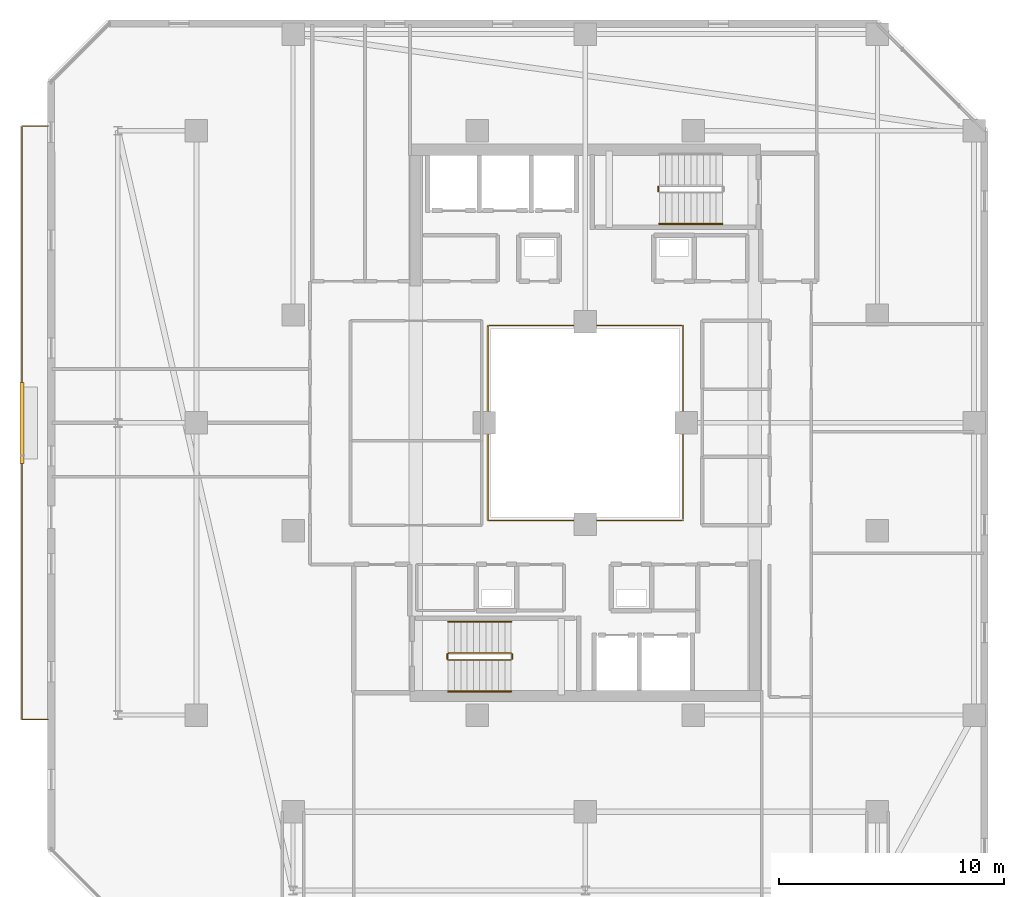
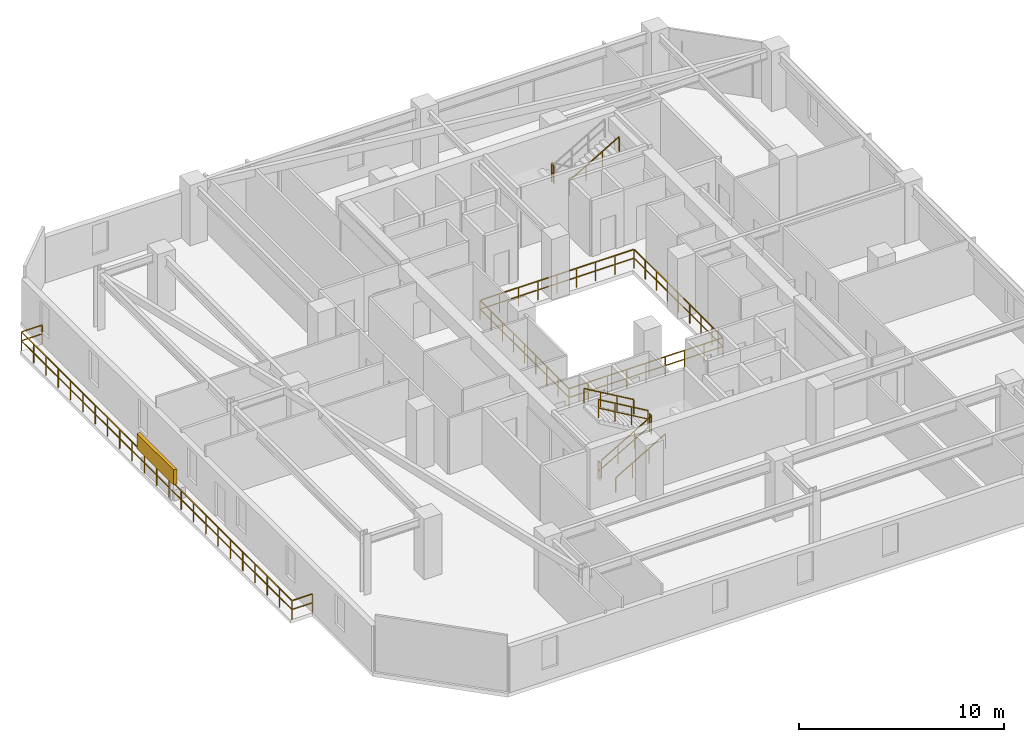
# One storey, part 29 of 32: 10 railings, 1 shading device.
"""IFC4 building model written with IfcOpenShell, lengths in metres."""

import ifcopenshell
import ifcopenshell.guid

model = None  # the IFC model being written
_history = None  # IfcOwnerHistory: only IFC2X3 demands one
_inside = {}  # id of a spatial element -> (the spatial element, [elements in it])
_under = {}  # id of a project, library or spatial element -> (it, [spatial elements below it])
_declared = {}  # id of a project -> (the project, [libraries it declares])
_typed = {}  # id of a type object -> (the type object, [elements of that type])
_made_of = {}  # id of a material, layer set ... -> (it, [elements and type objects made of it])


def new_model(schema):
    """Start an empty IFC model of exactly this schema.

    Asked for "IFC4X3", IfcOpenShell would pick the latest addendum, in which some entities
    have other attributes; the version numbers below select the first issue.
    IFC2X3 requires an IfcOwnerHistory on every rooted entity: one is made here for all.
    """
    global model, _history
    if schema == "IFC4X3":
        model = ifcopenshell.file(schema_version=(4, 3, 0, 0))
    else:
        model = ifcopenshell.file(schema=schema)
    _inside.clear()
    _under.clear()
    _declared.clear()
    _typed.clear()
    _made_of.clear()
    _history = None
    if model.schema == "IFC2X3":
        org = make("IfcOrganization", Name="unknown")
        user = make(
            "IfcPersonAndOrganization",
            ThePerson=make("IfcPerson", FamilyName="unknown"),
            TheOrganization=org,
        )
        app = make(
            "IfcApplication",
            ApplicationDeveloper=org,
            Version="unknown",
            ApplicationFullName="unknown",
            ApplicationIdentifier="unknown",
        )
        _history = make(
            "IfcOwnerHistory",
            OwningUser=user,
            OwningApplication=app,
            ChangeAction="ADDED",
            CreationDate=0,
        )
    return model


def make(cls, **values):
    """One entity of the class cls with the attributes given. An attribute that is None is left unset."""
    return model.create_entity(
        cls, **{name: value for name, value in values.items() if value is not None}
    )


def rooted(cls, **values):
    """An entity with a GlobalId (a new one), such as an element, a storey or a relation."""
    return make(cls, GlobalId=ifcopenshell.guid.new(), OwnerHistory=_history, **values)


def si_unit(unit_type, name, prefix=None):
    """IfcSIUnit, for example si_unit("LENGTHUNIT", "METRE", prefix="MILLI")."""
    return make("IfcSIUnit", UnitType=unit_type, Prefix=prefix, Name=name)


def assignment(units):
    """IfcUnitAssignment: the units of a project."""
    return None if units is None else make("IfcUnitAssignment", Units=units)


def point(xyz):
    """IfcCartesianPoint."""
    return None if xyz is None else make("IfcCartesianPoint", Coordinates=xyz)


def direction(xyz):
    """IfcDirection."""
    return None if xyz is None else make("IfcDirection", DirectionRatios=xyz)


def frame(location, z_axis=None, x_axis=None):
    """IfcAxis2Placement3D, a coordinate frame: its origin and axes. An axis left out is left unset."""
    return make(
        "IfcAxis2Placement3D",
        Location=point(location),
        Axis=direction(z_axis),
        RefDirection=direction(x_axis),
    )


def frame_2d(location, x_axis=None):
    """IfcAxis2Placement2D, a coordinate frame in the plane: its origin and x axis."""
    return make(
        "IfcAxis2Placement2D", Location=point(location), RefDirection=direction(x_axis)
    )


def origin():
    """The frame at (0, 0, 0) with its axes left unset."""
    return frame((0.0, 0.0, 0.0))


def origin_2d():
    """The frame at (0, 0) in the plane with its x axis left unset."""
    return frame_2d((0.0, 0.0))


def place(relative_to, where):
    """IfcLocalPlacement: puts the frame where relative to a parent placement (None: the world)."""
    return make(
        "IfcLocalPlacement", PlacementRelTo=relative_to, RelativePlacement=where
    )


def context(
    kind, dimensions, precision=None, world=None, true_north=None, identifier=None
):
    """IfcGeometricRepresentationContext, for example the 3D "Model" context."""
    return make(
        "IfcGeometricRepresentationContext",
        ContextIdentifier=identifier,
        ContextType=kind,
        CoordinateSpaceDimension=dimensions,
        Precision=precision,
        WorldCoordinateSystem=world,
        TrueNorth=true_north,
    )


def subcontext(parent, identifier, kind, view, scale=None):
    """IfcGeometricRepresentationSubContext, for example "Body" below "Model"."""
    return make(
        "IfcGeometricRepresentationSubContext",
        ContextIdentifier=identifier,
        ContextType=kind,
        ParentContext=parent,
        TargetScale=scale,
        TargetView=view,
    )


def project(units=None, contexts=None):
    """IfcProject with its units and contexts."""
    return rooted(
        "IfcProject",
        Name="project",
        RepresentationContexts=contexts,
        UnitsInContext=assignment(units),
    )


def spatial(cls, under=None, at=None, **own):
    """A site, building, storey or space (cls), placed at a placement, below another one or the project."""
    s = rooted(cls, ObjectPlacement=at, **own)
    if under is not None:
        _under.setdefault(under.id(), (under, []))[1].append(s)
    return s


def profile(cls, at=None, kind="AREA", **sizes):
    """A parametric profile (cls). Its sizes go by their IFC names, for example OverallWidth=200.0."""
    return make(cls, ProfileType=kind, Position=at, **sizes)


def rectangle(**sizes):
    """IfcRectangleProfileDef."""
    return profile("IfcRectangleProfileDef", **sizes)


def extrude(swept, where, along, depth):
    """IfcExtrudedAreaSolid: the profile swept, set in the frame where, extruded along a direction by depth."""
    return make(
        "IfcExtrudedAreaSolid",
        SweptArea=swept,
        Position=where,
        ExtrudedDirection=direction(along),
        Depth=depth,
    )


def shape(context_of_items, identifier, shape_type, items):
    """IfcShapeRepresentation: the items that make up one representation, for example the "Body"."""
    return make(
        "IfcShapeRepresentation",
        ContextOfItems=context_of_items,
        RepresentationIdentifier=identifier,
        RepresentationType=shape_type,
        Items=items,
    )


def material(Name=None, Category=None):
    """IfcMaterial."""
    return make("IfcMaterial", Name=Name, Category=Category)


def made_of(thing, what):
    """Note that an element or type object is made of a material, layer set ...; save() writes the relation."""
    if what is not None:
        _made_of.setdefault(what.id(), (what, []))[1].append(thing)
    return thing


def type_object(cls, material=None, **own):
    """A type object (cls), such as IfcWallType, which elements share."""
    return made_of(rooted(cls, **own), material)


def element(
    cls,
    number,
    at=None,
    inside=None,
    cuts=None,
    type_object=None,
    material=None,
    context=None,
    identifier="Body",
    shape_type=None,
    held_by="IfcProductDefinitionShape",
    body=None,
    shapes=None,
    **own,
):
    """One element of the class cls, such as IfcWall. Its Tag is "e" and its number.

    at: its placement. inside: the storey or other place that contains it. cuts: it is an
    opening in that element (IfcRelVoidsElement). A single representation is given by context,
    identifier, shape_type and body (its items); several are given by shapes. held_by: the class
    of the entity that holds the representations. save() writes the other relations.
    """
    e = rooted(cls, Tag="e%d" % number, ObjectPlacement=at, **own)
    if body is not None:
        shapes = [shape(context, identifier, shape_type, body)]
    if shapes is not None:
        e.Representation = make(held_by, Representations=shapes)
    if inside is not None:
        _inside.setdefault(inside.id(), (inside, []))[1].append(e)
    if cuts is not None:
        rooted(
            "IfcRelVoidsElement", RelatingBuildingElement=cuts, RelatedOpeningElement=e
        )
    if type_object is not None:
        _typed.setdefault(type_object.id(), (type_object, []))[1].append(e)
    return made_of(e, material)


def aggregate(whole, parts):
    """IfcRelAggregates: a whole, such as a stair, and the parts it consists of."""
    return rooted("IfcRelAggregates", RelatingObject=whole, RelatedObjects=parts)


def save(model, path):
    """Write the relations noted so far, then the file.

    IfcRelAggregates (storeys below a building ...), IfcRelContainedInSpatialStructure (elements
    in a storey), IfcRelDefinesByType, IfcRelAssociatesMaterial and IfcRelDeclares: one each for
    every whole, place, type object, material and project.
    """
    for whole, parts in _under.values():
        aggregate(whole, parts)
    for where, things in _inside.values():
        rooted(
            "IfcRelContainedInSpatialStructure",
            RelatedElements=things,
            RelatingStructure=where,
        )
    for kind, things in _typed.values():
        rooted("IfcRelDefinesByType", RelatedObjects=things, RelatingType=kind)
    for what, things in _made_of.values():
        rooted("IfcRelAssociatesMaterial", RelatedObjects=things, RelatingMaterial=what)
    for by, libraries in _declared.values():
        rooted("IfcRelDeclares", RelatingContext=by, RelatedDefinitions=libraries)
    model.write(path)


model = new_model("IFC4")

# Units and contexts
model_context = context("Model", 3, precision=1e-05, world=origin(), true_north=direction((0.0, 1.0)))
body_context = subcontext(model_context, "Body", "Model", "MODEL_VIEW")
ifc_project = project(units=[si_unit("LENGTHUNIT", "METRE"), si_unit("AREAUNIT", "SQUARE_METRE"), si_unit("VOLUMEUNIT", "CUBIC_METRE"), si_unit("PLANEANGLEUNIT", "RADIAN"), si_unit("MASSUNIT", "GRAM", prefix="KILO")], contexts=[model_context])

# Site, building, storey
site_placement = place(None, origin())
site = spatial("IfcSite", under=ifc_project, at=site_placement, CompositionType="ELEMENT")
building_placement = place(site_placement, origin())
building = spatial("IfcBuilding", under=site, at=building_placement, Name="Thornwick Lancets Civic Towers", CompositionType="ELEMENT")
storey_placement = place(building_placement, frame((0.0, 0.0, 247.5)))
storey = spatial("IfcBuildingStorey", under=building, at=storey_placement, Name="L66", CompositionType="ELEMENT", Elevation=247.5)

# Railings
ifc_material_1 = material(Name="Laminated glass and bronze steel S355", Category="steel")
railing_type_1 = type_object("IfcRailingType", Name="RAIL_ATRIUM_GUARD", PredefinedType="BALUSTRADE", material=ifc_material_1)
railing_1_placement = place(storey_placement, frame((21.159912109375, 22.659912109375, 0.0)))
element("IfcRailing", 1, at=railing_1_placement, inside=storey, type_object=railing_type_1, Name="L66 Tower A Central Atrium Guard Balustrade", PredefinedType="BALUSTRADE", context=body_context, shape_type="SweptSolid", body=[
    extrude(rectangle(XDim=0.048095703125, YDim=0.048095703125, at=origin_2d()), frame((0.0, 0.0, 1.1259765625), z_axis=(1.0, 0.0, 0.0), x_axis=(0.0, 1.0, 0.0)), (0.0, 0.0, 1.0), 8.64892578125),
    extrude(rectangle(XDim=0.0419921875, YDim=0.0419921875, at=origin_2d()), frame((0.03759765625, 0.0, 0.597900390625), z_axis=(1.0, 0.0, 0.0), x_axis=(0.0, 1.0, 0.0)), (0.0, 0.0, 1.0), 1.010009765625),
    extrude(rectangle(XDim=0.0419921875, YDim=0.0419921875, at=origin_2d()), frame((1.12255859375, 0.0, 0.597900390625), z_axis=(1.0, 0.0, 0.0), x_axis=(0.0, 1.0, 0.0)), (0.0, 0.0, 1.0), 1.010009765625),
    extrude(rectangle(XDim=0.0419921875, YDim=0.0419921875, at=origin_2d()), frame((2.20751953125, 0.0, 0.597900390625), z_axis=(1.0, 0.0, 0.0), x_axis=(0.0, 1.0, 0.0)), (0.0, 0.0, 1.0), 1.010009765625),
    extrude(rectangle(XDim=0.0419921875, YDim=0.0419921875, at=origin_2d()), frame((3.29248046875, 0.0, 0.597900390625), z_axis=(1.0, 0.0, 0.0), x_axis=(0.0, 1.0, 0.0)), (0.0, 0.0, 1.0), 1.010009765625),
    extrude(rectangle(XDim=0.0419921875, YDim=0.0419921875, at=origin_2d()), frame((4.377685546875, 0.0, 0.597900390625), z_axis=(1.0, 0.0, 0.0), x_axis=(0.0, 1.0, 0.0)), (0.0, 0.0, 1.0), 1.010009765625),
    extrude(rectangle(XDim=0.0419921875, YDim=0.0419921875, at=origin_2d()), frame((5.462646484375, 0.0, 0.597900390625), z_axis=(1.0, 0.0, 0.0), x_axis=(0.0, 1.0, 0.0)), (0.0, 0.0, 1.0), 1.010009765625),
    extrude(rectangle(XDim=0.0419921875, YDim=0.0419921875, at=origin_2d()), frame((6.547607421875, 0.0, 0.597900390625), z_axis=(1.0, 0.0, 0.0), x_axis=(0.0, 1.0, 0.0)), (0.0, 0.0, 1.0), 1.010009765625),
    extrude(rectangle(XDim=0.0419921875, YDim=0.0419921875, at=origin_2d()), frame((7.632568359375, 0.0, 0.597900390625), z_axis=(1.0, 0.0, 0.0), x_axis=(0.0, 1.0, 0.0)), (0.0, 0.0, 1.0), 1.010009765625),
    extrude(rectangle(XDim=0.048095703125, YDim=0.048095703125, at=origin_2d()), frame((8.68017578125, 0.03125, 1.1259765625), z_axis=(0.0, 1.0, 0.0), x_axis=(-1.0, 0.0, 0.0)), (0.0, 0.0, 1.0), 8.61767578125),
    extrude(rectangle(XDim=0.0419921875, YDim=0.0419921875, at=origin_2d()), frame((8.68017578125, 0.03759765625, 0.597900390625), z_axis=(0.0, 1.0, 0.0), x_axis=(-1.0, 0.0, 0.0)), (0.0, 0.0, 1.0), 1.010009765625),
    extrude(rectangle(XDim=0.0419921875, YDim=0.0419921875, at=origin_2d()), frame((8.68017578125, 1.12255859375, 0.597900390625), z_axis=(0.0, 1.0, 0.0), x_axis=(-1.0, 0.0, 0.0)), (0.0, 0.0, 1.0), 1.010009765625),
    extrude(rectangle(XDim=0.0419921875, YDim=0.0419921875, at=origin_2d()), frame((8.68017578125, 2.20751953125, 0.597900390625), z_axis=(0.0, 1.0, 0.0), x_axis=(-1.0, 0.0, 0.0)), (0.0, 0.0, 1.0), 1.010009765625),
    extrude(rectangle(XDim=0.0419921875, YDim=0.0419921875, at=origin_2d()), frame((8.68017578125, 3.29248046875, 0.597900390625), z_axis=(0.0, 1.0, 0.0), x_axis=(-1.0, 0.0, 0.0)), (0.0, 0.0, 1.0), 1.010009765625),
    extrude(rectangle(XDim=0.0419921875, YDim=0.0419921875, at=origin_2d()), frame((8.68017578125, 4.377685546875, 0.597900390625), z_axis=(0.0, 1.0, 0.0), x_axis=(-1.0, 0.0, 0.0)), (0.0, 0.0, 1.0), 1.010009765625),
    extrude(rectangle(XDim=0.0419921875, YDim=0.0419921875, at=origin_2d()), frame((8.68017578125, 5.462646484375, 0.597900390625), z_axis=(0.0, 1.0, 0.0), x_axis=(-1.0, 0.0, 0.0)), (0.0, 0.0, 1.0), 1.010009765625),
    extrude(rectangle(XDim=0.0419921875, YDim=0.0419921875, at=origin_2d()), frame((8.68017578125, 6.547607421875, 0.597900390625), z_axis=(0.0, 1.0, 0.0), x_axis=(-1.0, 0.0, 0.0)), (0.0, 0.0, 1.0), 1.010009765625),
    extrude(rectangle(XDim=0.0419921875, YDim=0.0419921875, at=origin_2d()), frame((8.68017578125, 7.632568359375, 0.597900390625), z_axis=(0.0, 1.0, 0.0), x_axis=(-1.0, 0.0, 0.0)), (0.0, 0.0, 1.0), 1.010009765625),
    extrude(rectangle(XDim=0.048095703125, YDim=0.048095703125, at=origin_2d()), frame((8.64892578125, 8.68017578125, 1.1259765625), z_axis=(-1.0, 0.0, 0.0), x_axis=(0.0, -1.0, 0.0)), (0.0, 0.0, 1.0), 8.61767578125),
    extrude(rectangle(XDim=0.0419921875, YDim=0.0419921875, at=origin_2d()), frame((8.642578125, 8.68017578125, 0.597900390625), z_axis=(-1.0, 0.0, 0.0), x_axis=(0.0, -1.0, 0.0)), (0.0, 0.0, 1.0), 1.010009765625),
    extrude(rectangle(XDim=0.0419921875, YDim=0.0419921875, at=origin_2d()), frame((7.5576171875, 8.68017578125, 0.597900390625), z_axis=(-1.0, 0.0, 0.0), x_axis=(0.0, -1.0, 0.0)), (0.0, 0.0, 1.0), 1.010009765625),
    extrude(rectangle(XDim=0.0419921875, YDim=0.0419921875, at=origin_2d()), frame((6.47265625, 8.68017578125, 0.597900390625), z_axis=(-1.0, 0.0, 0.0), x_axis=(0.0, -1.0, 0.0)), (0.0, 0.0, 1.0), 1.010009765625),
    extrude(rectangle(XDim=0.0419921875, YDim=0.0419921875, at=origin_2d()), frame((5.3876953125, 8.68017578125, 0.597900390625), z_axis=(-1.0, 0.0, 0.0), x_axis=(0.0, -1.0, 0.0)), (0.0, 0.0, 1.0), 1.010009765625),
    extrude(rectangle(XDim=0.0419921875, YDim=0.0419921875, at=origin_2d()), frame((4.302490234375, 8.68017578125, 0.597900390625), z_axis=(-1.0, 0.0, 0.0), x_axis=(0.0, -1.0, 0.0)), (0.0, 0.0, 1.0), 1.010009765625),
    extrude(rectangle(XDim=0.0419921875, YDim=0.0419921875, at=origin_2d()), frame((3.217529296875, 8.68017578125, 0.597900390625), z_axis=(-1.0, 0.0, 0.0), x_axis=(0.0, -1.0, 0.0)), (0.0, 0.0, 1.0), 1.010009765625),
    extrude(rectangle(XDim=0.0419921875, YDim=0.0419921875, at=origin_2d()), frame((2.132568359375, 8.68017578125, 0.597900390625), z_axis=(-1.0, 0.0, 0.0), x_axis=(0.0, -1.0, 0.0)), (0.0, 0.0, 1.0), 1.010009765625),
    extrude(rectangle(XDim=0.0419921875, YDim=0.0419921875, at=origin_2d()), frame((1.047607421875, 8.68017578125, 0.597900390625), z_axis=(-1.0, 0.0, 0.0), x_axis=(0.0, -1.0, 0.0)), (0.0, 0.0, 1.0), 1.010009765625),
    extrude(rectangle(XDim=0.048095703125, YDim=0.048095703125, at=origin_2d()), frame((0.0, 8.64892578125, 1.1259765625), z_axis=(0.0, -1.0, 0.0), x_axis=(1.0, 0.0, 0.0)), (0.0, 0.0, 1.0), 8.64892578125),
    extrude(rectangle(XDim=0.0419921875, YDim=0.0419921875, at=origin_2d()), frame((0.0, 8.642578125, 0.597900390625), z_axis=(0.0, -1.0, 0.0), x_axis=(1.0, 0.0, 0.0)), (0.0, 0.0, 1.0), 1.010009765625),
    extrude(rectangle(XDim=0.0419921875, YDim=0.0419921875, at=origin_2d()), frame((0.0, 7.5576171875, 0.597900390625), z_axis=(0.0, -1.0, 0.0), x_axis=(1.0, 0.0, 0.0)), (0.0, 0.0, 1.0), 1.010009765625),
    extrude(rectangle(XDim=0.0419921875, YDim=0.0419921875, at=origin_2d()), frame((0.0, 6.47265625, 0.597900390625), z_axis=(0.0, -1.0, 0.0), x_axis=(1.0, 0.0, 0.0)), (0.0, 0.0, 1.0), 1.010009765625),
    extrude(rectangle(XDim=0.0419921875, YDim=0.0419921875, at=origin_2d()), frame((0.0, 5.3876953125, 0.597900390625), z_axis=(0.0, -1.0, 0.0), x_axis=(1.0, 0.0, 0.0)), (0.0, 0.0, 1.0), 1.010009765625),
    extrude(rectangle(XDim=0.0419921875, YDim=0.0419921875, at=origin_2d()), frame((0.0, 4.302490234375, 0.597900390625), z_axis=(0.0, -1.0, 0.0), x_axis=(1.0, 0.0, 0.0)), (0.0, 0.0, 1.0), 1.010009765625),
    extrude(rectangle(XDim=0.0419921875, YDim=0.0419921875, at=origin_2d()), frame((0.0, 3.217529296875, 0.597900390625), z_axis=(0.0, -1.0, 0.0), x_axis=(1.0, 0.0, 0.0)), (0.0, 0.0, 1.0), 1.010009765625),
    extrude(rectangle(XDim=0.0419921875, YDim=0.0419921875, at=origin_2d()), frame((0.0, 2.132568359375, 0.597900390625), z_axis=(0.0, -1.0, 0.0), x_axis=(1.0, 0.0, 0.0)), (0.0, 0.0, 1.0), 1.010009765625),
    extrude(rectangle(XDim=0.0419921875, YDim=0.0419921875, at=origin_2d()), frame((0.0, 1.047607421875, 0.597900390625), z_axis=(0.0, -1.0, 0.0), x_axis=(1.0, 0.0, 0.0)), (0.0, 0.0, 1.0), 1.010009765625),
    extrude(rectangle(XDim=0.0419921875, YDim=0.0419921875, at=origin_2d()), origin(), (0.0, 0.0, 1.0), 1.095703125),
    extrude(rectangle(XDim=0.0419921875, YDim=0.0419921875, at=origin_2d()), frame((1.0849609375, 0.0, 0.0)), (0.0, 0.0, 1.0), 1.095703125),
    extrude(rectangle(XDim=0.0419921875, YDim=0.0419921875, at=origin_2d()), frame((2.169921875, 0.0, 0.0)), (0.0, 0.0, 1.0), 1.095703125),
    extrude(rectangle(XDim=0.0419921875, YDim=0.0419921875, at=origin_2d()), frame((3.255126953125, 0.0, 0.0)), (0.0, 0.0, 1.0), 1.095703125),
    extrude(rectangle(XDim=0.0419921875, YDim=0.0419921875, at=origin_2d()), frame((4.340087890625, 0.0, 0.0)), (0.0, 0.0, 1.0), 1.095703125),
    extrude(rectangle(XDim=0.0419921875, YDim=0.0419921875, at=origin_2d()), frame((5.425048828125, 0.0, 0.0)), (0.0, 0.0, 1.0), 1.095703125),
    extrude(rectangle(XDim=0.0419921875, YDim=0.0419921875, at=origin_2d()), frame((6.51025390625, 0.0, 0.0)), (0.0, 0.0, 1.0), 1.095703125),
    extrude(rectangle(XDim=0.0419921875, YDim=0.0419921875, at=origin_2d()), frame((7.59521484375, 0.0, 0.0)), (0.0, 0.0, 1.0), 1.095703125),
    extrude(rectangle(XDim=0.0419921875, YDim=0.0419921875, at=origin_2d()), frame((8.68017578125, 0.0, 0.0)), (0.0, 0.0, 1.0), 1.095703125),
    extrude(rectangle(XDim=0.0419921875, YDim=0.0419921875, at=origin_2d()), frame((8.68017578125, 1.0849609375, 0.0)), (0.0, 0.0, 1.0), 1.095703125),
    extrude(rectangle(XDim=0.0419921875, YDim=0.0419921875, at=origin_2d()), frame((8.68017578125, 2.169921875, 0.0)), (0.0, 0.0, 1.0), 1.095703125),
    extrude(rectangle(XDim=0.0419921875, YDim=0.0419921875, at=origin_2d()), frame((8.68017578125, 3.255126953125, 0.0)), (0.0, 0.0, 1.0), 1.095703125),
    extrude(rectangle(XDim=0.0419921875, YDim=0.0419921875, at=origin_2d()), frame((8.68017578125, 4.340087890625, 0.0)), (0.0, 0.0, 1.0), 1.095703125),
    extrude(rectangle(XDim=0.0419921875, YDim=0.0419921875, at=origin_2d()), frame((8.68017578125, 5.425048828125, 0.0)), (0.0, 0.0, 1.0), 1.095703125),
    extrude(rectangle(XDim=0.0419921875, YDim=0.0419921875, at=origin_2d()), frame((8.68017578125, 6.51025390625, 0.0)), (0.0, 0.0, 1.0), 1.095703125),
    extrude(rectangle(XDim=0.0419921875, YDim=0.0419921875, at=origin_2d()), frame((8.68017578125, 7.59521484375, 0.0)), (0.0, 0.0, 1.0), 1.095703125),
    extrude(rectangle(XDim=0.0419921875, YDim=0.0419921875, at=origin_2d()), frame((8.68017578125, 8.68017578125, 0.0)), (0.0, 0.0, 1.0), 1.095703125),
    extrude(rectangle(XDim=0.0419921875, YDim=0.0419921875, at=origin_2d()), frame((7.59521484375, 8.68017578125, 0.0)), (0.0, 0.0, 1.0), 1.095703125),
    extrude(rectangle(XDim=0.0419921875, YDim=0.0419921875, at=origin_2d()), frame((6.51025390625, 8.68017578125, 0.0)), (0.0, 0.0, 1.0), 1.095703125),
    extrude(rectangle(XDim=0.0419921875, YDim=0.0419921875, at=origin_2d()), frame((5.425048828125, 8.68017578125, 0.0)), (0.0, 0.0, 1.0), 1.095703125),
    extrude(rectangle(XDim=0.0419921875, YDim=0.0419921875, at=origin_2d()), frame((4.340087890625, 8.68017578125, 0.0)), (0.0, 0.0, 1.0), 1.095703125),
    extrude(rectangle(XDim=0.0419921875, YDim=0.0419921875, at=origin_2d()), frame((3.255126953125, 8.68017578125, 0.0)), (0.0, 0.0, 1.0), 1.095703125),
    extrude(rectangle(XDim=0.0419921875, YDim=0.0419921875, at=origin_2d()), frame((2.169921875, 8.68017578125, 0.0)), (0.0, 0.0, 1.0), 1.095703125),
    extrude(rectangle(XDim=0.0419921875, YDim=0.0419921875, at=origin_2d()), frame((1.0849609375, 8.68017578125, 0.0)), (0.0, 0.0, 1.0), 1.095703125),
    extrude(rectangle(XDim=0.0419921875, YDim=0.0419921875, at=origin_2d()), frame((0.0, 8.68017578125, 0.0)), (0.0, 0.0, 1.0), 1.095703125),
    extrude(rectangle(XDim=0.0419921875, YDim=0.0419921875, at=origin_2d()), frame((0.0, 7.59521484375, 0.0)), (0.0, 0.0, 1.0), 1.095703125),
    extrude(rectangle(XDim=0.0419921875, YDim=0.0419921875, at=origin_2d()), frame((0.0, 6.51025390625, 0.0)), (0.0, 0.0, 1.0), 1.095703125),
    extrude(rectangle(XDim=0.0419921875, YDim=0.0419921875, at=origin_2d()), frame((0.0, 5.425048828125, 0.0)), (0.0, 0.0, 1.0), 1.095703125),
    extrude(rectangle(XDim=0.0419921875, YDim=0.0419921875, at=origin_2d()), frame((0.0, 4.340087890625, 0.0)), (0.0, 0.0, 1.0), 1.095703125),
    extrude(rectangle(XDim=0.0419921875, YDim=0.0419921875, at=origin_2d()), frame((0.0, 3.255126953125, 0.0)), (0.0, 0.0, 1.0), 1.095703125),
    extrude(rectangle(XDim=0.0419921875, YDim=0.0419921875, at=origin_2d()), frame((0.0, 2.169921875, 0.0)), (0.0, 0.0, 1.0), 1.095703125),
    extrude(rectangle(XDim=0.0419921875, YDim=0.0419921875, at=origin_2d()), frame((0.0, 1.0849609375, 0.0)), (0.0, 0.0, 1.0), 1.095703125),
])
ifc_material_2 = material(Name="Brushed stainless steel S355", Category="steel")
railing_type_2 = type_object("IfcRailingType", Name="RAIL_HANDRAIL", PredefinedType="HANDRAIL", material=ifc_material_2)
railing_2_placement = place(storey_placement, frame((19.39990234375, 15.050048828125, 0.16357421875)))
element("IfcRailing", 2, at=railing_2_placement, inside=storey, type_object=railing_type_2, Name="L66 ST-A1 stair handrail 1", PredefinedType="HANDRAIL", context=body_context, shape_type="SweptSolid", body=[
    extrude(rectangle(XDim=0.048095703125, YDim=0.048095703125, at=origin_2d()), frame((0.0, 0.0, 0.8857421875), z_axis=(0.863360870873, 0.0, 0.504586966384), x_axis=(0.0, 1.0, 0.0)), (0.0, 0.0, 1.0), 3.2431640625),
    extrude(rectangle(XDim=0.0419921875, YDim=0.0419921875, at=origin_2d()), origin(), (0.0, 0.0, 1.0), 0.855712890625),
    extrude(rectangle(XDim=0.0419921875, YDim=0.0419921875, at=origin_2d()), frame((0.933349609375, 0.0, 0.54541015625)), (0.0, 0.0, 1.0), 0.855712890625),
    extrude(rectangle(XDim=0.0419921875, YDim=0.0419921875, at=origin_2d()), frame((1.86669921875, 0.0, 1.091064453125)), (0.0, 0.0, 1.0), 0.855712890625),
    extrude(rectangle(XDim=0.0419921875, YDim=0.0419921875, at=origin_2d()), frame((2.800048828125, 0.0, 1.636474609375)), (0.0, 0.0, 1.0), 0.855712890625),
])
railing_3_placement = place(storey_placement, frame((22.199951171875, 18.14990234375, 1.963623046875)))
element("IfcRailing", 3, at=railing_3_placement, inside=storey, type_object=railing_type_2, Name="L66 ST-A1 stair handrail 2", PredefinedType="HANDRAIL", context=body_context, shape_type="SweptSolid", body=[
    extrude(rectangle(XDim=0.048095703125, YDim=0.048095703125, at=origin_2d()), frame((0.0, 0.0, 0.8857421875), z_axis=(-0.863360870873, 0.0, 0.504586966384), x_axis=(0.0, -1.0, 0.0)), (0.0, 0.0, 1.0), 3.2431640625),
    extrude(rectangle(XDim=0.0419921875, YDim=0.0419921875, at=origin_2d()), origin(), (0.0, 0.0, 1.0), 0.855712890625),
    extrude(rectangle(XDim=0.0419921875, YDim=0.0419921875, at=origin_2d()), frame((-0.933349609375, 0.0, 0.54541015625)), (0.0, 0.0, 1.0), 0.855712890625),
    extrude(rectangle(XDim=0.0419921875, YDim=0.0419921875, at=origin_2d()), frame((-1.86669921875, 0.0, 1.091064453125)), (0.0, 0.0, 1.0), 0.855712890625),
    extrude(rectangle(XDim=0.0419921875, YDim=0.0419921875, at=origin_2d()), frame((-2.800048828125, 0.0, 1.636474609375)), (0.0, 0.0, 1.0), 0.855712890625),
])
railing_4_placement = place(storey_placement, frame((28.800048828125, 35.85009765625, 1.963623046875)))
element("IfcRailing", 4, at=railing_4_placement, inside=storey, type_object=railing_type_2, Name="L66 ST-A2 stair handrail 2", PredefinedType="HANDRAIL", context=body_context, shape_type="SweptSolid", body=[
    extrude(rectangle(XDim=0.048095703125, YDim=0.048095703125, at=origin_2d()), frame((0.0, 0.0, 0.8857421875), z_axis=(0.863360870873, 0.0, 0.504586966384), x_axis=(0.0, 1.0, 0.0)), (0.0, 0.0, 1.0), 3.2431640625),
    extrude(rectangle(XDim=0.0419921875, YDim=0.0419921875, at=origin_2d()), origin(), (0.0, 0.0, 1.0), 0.855712890625),
    extrude(rectangle(XDim=0.0419921875, YDim=0.0419921875, at=origin_2d()), frame((0.933349609375, 0.0, 0.54541015625)), (0.0, 0.0, 1.0), 0.855712890625),
    extrude(rectangle(XDim=0.0419921875, YDim=0.0419921875, at=origin_2d()), frame((1.86669921875, 0.0, 1.091064453125)), (0.0, 0.0, 1.0), 0.855712890625),
    extrude(rectangle(XDim=0.0419921875, YDim=0.0419921875, at=origin_2d()), frame((2.800048828125, 0.0, 1.636474609375)), (0.0, 0.0, 1.0), 0.855712890625),
])
ifc_material_3 = material(Name="Steel S355JR", Category="steel")
railing_type_3 = type_object("IfcRailingType", Name="RAIL_STAIR_GUARD", PredefinedType="GUARDRAIL", material=ifc_material_3)
railing_5_placement = place(storey_placement, frame((19.39990234375, 16.449951171875, 0.16357421875)))
element("IfcRailing", 5, at=railing_5_placement, inside=storey, type_object=railing_type_3, Name="L66 ST-A1 stair guard 1", PredefinedType="GUARDRAIL", context=body_context, shape_type="SweptSolid", body=[
    extrude(rectangle(XDim=0.048095703125, YDim=0.048095703125, at=origin_2d()), frame((0.0, 0.0, 1.076171875), z_axis=(0.863360870873, 0.0, 0.504586966384), x_axis=(0.0, 1.0, 0.0)), (0.0, 0.0, 1.0), 3.2431640625),
    extrude(rectangle(XDim=0.0419921875, YDim=0.0419921875, at=origin_2d()), frame((0.032470703125, 0.0, 0.591064453125), z_axis=(0.863360870873, 0.0, 0.504586966384), x_axis=(0.0, 1.0, 0.0)), (0.0, 0.0, 1.0), 1.006103515625),
    extrude(rectangle(XDim=0.0419921875, YDim=0.0419921875, at=origin_2d()), frame((0.9658203125, 0.0, 1.136474609375), z_axis=(0.863360870873, 0.0, 0.504586966384), x_axis=(0.0, 1.0, 0.0)), (0.0, 0.0, 1.0), 1.006103515625),
    extrude(rectangle(XDim=0.0419921875, YDim=0.0419921875, at=origin_2d()), frame((1.899169921875, 0.0, 1.681884765625), z_axis=(0.863360870873, 0.0, 0.504586966384), x_axis=(0.0, 1.0, 0.0)), (0.0, 0.0, 1.0), 1.006103515625),
    extrude(rectangle(XDim=0.0419921875, YDim=0.0419921875, at=origin_2d()), origin(), (0.0, 0.0, 1.0), 1.0458984375),
    extrude(rectangle(XDim=0.0419921875, YDim=0.0419921875, at=origin_2d()), frame((0.933349609375, 0.0, 0.54541015625)), (0.0, 0.0, 1.0), 1.0458984375),
    extrude(rectangle(XDim=0.0419921875, YDim=0.0419921875, at=origin_2d()), frame((1.86669921875, 0.0, 1.091064453125)), (0.0, 0.0, 1.0), 1.0458984375),
    extrude(rectangle(XDim=0.0419921875, YDim=0.0419921875, at=origin_2d()), frame((2.800048828125, 0.0, 1.636474609375)), (0.0, 0.0, 1.0), 1.0458984375),
])
railing_6_placement = place(storey_placement, frame((22.25, 16.5, 1.800048828125)))
element("IfcRailing", 6, at=railing_6_placement, inside=storey, type_object=railing_type_3, Name="L66 ST-A1 stair guard 2", PredefinedType="GUARDRAIL", context=body_context, shape_type="SweptSolid", body=[
    extrude(rectangle(XDim=0.048095703125, YDim=0.048095703125, at=origin_2d()), frame((0.0, 0.0, 1.076171875), z_axis=(0.0, 1.0, 0.0), x_axis=(-1.0, 0.0, 0.0)), (0.0, 0.0, 1.0), 0.199951171875),
    extrude(rectangle(XDim=0.0419921875, YDim=0.0419921875, at=origin_2d()), frame((0.0, 0.03759765625, 0.572021484375), z_axis=(0.0, 1.0, 0.0), x_axis=(-1.0, 0.0, 0.0)), (0.0, 0.0, 1.0), 0.125),
    extrude(rectangle(XDim=0.0419921875, YDim=0.0419921875, at=origin_2d()), origin(), (0.0, 0.0, 1.0), 1.0458984375),
    extrude(rectangle(XDim=0.0419921875, YDim=0.0419921875, at=origin_2d()), frame((0.0, 0.199951171875, 0.0)), (0.0, 0.0, 1.0), 1.0458984375),
])
railing_7_placement = place(storey_placement, frame((22.199951171875, 16.75, 1.963623046875)))
element("IfcRailing", 7, at=railing_7_placement, inside=storey, type_object=railing_type_3, Name="L66 ST-A1 stair guard 3", PredefinedType="GUARDRAIL", context=body_context, shape_type="SweptSolid", body=[
    extrude(rectangle(XDim=0.048095703125, YDim=0.048095703125, at=origin_2d()), frame((0.0, 0.0, 1.076171875), z_axis=(-0.863360870873, 0.0, 0.504586966384), x_axis=(0.0, -1.0, 0.0)), (0.0, 0.0, 1.0), 3.2431640625),
    extrude(rectangle(XDim=0.0419921875, YDim=0.0419921875, at=origin_2d()), frame((-0.032470703125, 0.0, 0.591064453125), z_axis=(-0.863360870873, 0.0, 0.504586966384), x_axis=(0.0, -1.0, 0.0)), (0.0, 0.0, 1.0), 1.006103515625),
    extrude(rectangle(XDim=0.0419921875, YDim=0.0419921875, at=origin_2d()), frame((-0.9658203125, 0.0, 1.136474609375), z_axis=(-0.863360870873, 0.0, 0.504586966384), x_axis=(0.0, -1.0, 0.0)), (0.0, 0.0, 1.0), 1.006103515625),
    extrude(rectangle(XDim=0.0419921875, YDim=0.0419921875, at=origin_2d()), frame((-1.899169921875, 0.0, 1.681884765625), z_axis=(-0.863360870873, 0.0, 0.504586966384), x_axis=(0.0, -1.0, 0.0)), (0.0, 0.0, 1.0), 1.006103515625),
    extrude(rectangle(XDim=0.0419921875, YDim=0.0419921875, at=origin_2d()), origin(), (0.0, 0.0, 1.0), 1.0458984375),
    extrude(rectangle(XDim=0.0419921875, YDim=0.0419921875, at=origin_2d()), frame((-0.933349609375, 0.0, 0.54541015625)), (0.0, 0.0, 1.0), 1.0458984375),
    extrude(rectangle(XDim=0.0419921875, YDim=0.0419921875, at=origin_2d()), frame((-1.86669921875, 0.0, 1.091064453125)), (0.0, 0.0, 1.0), 1.0458984375),
    extrude(rectangle(XDim=0.0419921875, YDim=0.0419921875, at=origin_2d()), frame((-2.800048828125, 0.0, 1.636474609375)), (0.0, 0.0, 1.0), 1.0458984375),
])
railing_8_placement = place(storey_placement, frame((19.35009765625, 16.5, 0.0)))
element("IfcRailing", 8, at=railing_8_placement, inside=storey, type_object=railing_type_3, Name="L66 ST-A1 stair guard 4", PredefinedType="GUARDRAIL", context=body_context, shape_type="SweptSolid", body=[
    extrude(rectangle(XDim=0.048095703125, YDim=0.048095703125, at=origin_2d()), frame((0.0, 0.0, 1.076171875), z_axis=(0.0, 1.0, 0.0), x_axis=(-1.0, 0.0, 0.0)), (0.0, 0.0, 1.0), 0.199951171875),
    extrude(rectangle(XDim=0.0419921875, YDim=0.0419921875, at=origin_2d()), frame((0.0, 0.03759765625, 0.572021484375), z_axis=(0.0, 1.0, 0.0), x_axis=(-1.0, 0.0, 0.0)), (0.0, 0.0, 1.0), 0.125),
    extrude(rectangle(XDim=0.0419921875, YDim=0.0419921875, at=origin_2d()), origin(), (0.0, 0.0, 1.0), 1.0458984375),
    extrude(rectangle(XDim=0.0419921875, YDim=0.0419921875, at=origin_2d()), frame((0.0, 0.199951171875, 0.0)), (0.0, 0.0, 1.0), 1.0458984375),
])
railing_9_placement = place(storey_placement, frame((28.75, 37.5, 1.800048828125)))
element("IfcRailing", 9, at=railing_9_placement, inside=storey, type_object=railing_type_3, Name="L66 ST-A2 stair guard 2", PredefinedType="GUARDRAIL", context=body_context, shape_type="SweptSolid", body=[
    extrude(rectangle(XDim=0.048095703125, YDim=0.048095703125, at=origin_2d()), frame((0.0, 0.0, 1.076171875), z_axis=(0.0, -1.0, 0.0), x_axis=(1.0, 0.0, 0.0)), (0.0, 0.0, 1.0), 0.199951171875),
    extrude(rectangle(XDim=0.0419921875, YDim=0.0419921875, at=origin_2d()), frame((0.0, -0.03759765625, 0.572021484375), z_axis=(0.0, -1.0, 0.0), x_axis=(1.0, 0.0, 0.0)), (0.0, 0.0, 1.0), 0.125),
    extrude(rectangle(XDim=0.0419921875, YDim=0.0419921875, at=origin_2d()), origin(), (0.0, 0.0, 1.0), 1.0458984375),
    extrude(rectangle(XDim=0.0419921875, YDim=0.0419921875, at=origin_2d()), frame((0.0, -0.199951171875, 0.0)), (0.0, 0.0, 1.0), 1.0458984375),
])
ifc_material_4 = material(Name="Terracotta-capped laminated glass balustrade S355", Category="masonry")
railing_type_4 = type_object("IfcRailingType", Name="RAIL_TERR_GUARD", PredefinedType="GUARDRAIL", material=ifc_material_4)
railing_10_placement = place(storey_placement, frame((1.60009765625, 13.800048828125, 0.0)))
element("IfcRailing", 10, at=railing_10_placement, inside=storey, type_object=railing_type_4, Name="L66 Tower A Balcony Guard W", PredefinedType="GUARDRAIL", context=body_context, shape_type="SweptSolid", body=[
    extrude(rectangle(XDim=0.048095703125, YDim=0.048095703125, at=origin_2d()), frame((0.0, 0.0, 1.1259765625), z_axis=(-1.0, 0.0, 0.0), x_axis=(0.0, -1.0, 0.0)), (0.0, 0.0, 1.0), 1.138916015625),
    extrude(rectangle(XDim=0.0419921875, YDim=0.0419921875, at=origin_2d()), frame((-0.03759765625, 0.0, 0.597900390625), z_axis=(-1.0, 0.0, 0.0), x_axis=(0.0, -1.0, 0.0)), (0.0, 0.0, 1.0), 1.09521484375),
    extrude(rectangle(XDim=0.048095703125, YDim=0.048095703125, at=origin_2d()), frame((-1.170166015625, 0.03125, 1.1259765625), z_axis=(0.0, 1.0, 0.0), x_axis=(-1.0, 0.0, 0.0)), (0.0, 0.0, 1.0), 26.33740234375),
    extrude(rectangle(XDim=0.0419921875, YDim=0.0419921875, at=origin_2d()), frame((-1.170166015625, 0.03759765625, 0.597900390625), z_axis=(0.0, 1.0, 0.0), x_axis=(-1.0, 0.0, 0.0)), (0.0, 0.0, 1.0), 1.125),
    extrude(rectangle(XDim=0.0419921875, YDim=0.0419921875, at=origin_2d()), frame((-1.170166015625, 1.237548828125, 0.597900390625), z_axis=(0.0, 1.0, 0.0), x_axis=(-1.0, 0.0, 0.0)), (0.0, 0.0, 1.0), 1.125),
    extrude(rectangle(XDim=0.0419921875, YDim=0.0419921875, at=origin_2d()), frame((-1.170166015625, 2.4375, 0.597900390625), z_axis=(0.0, 1.0, 0.0), x_axis=(-1.0, 0.0, 0.0)), (0.0, 0.0, 1.0), 1.125),
    extrude(rectangle(XDim=0.0419921875, YDim=0.0419921875, at=origin_2d()), frame((-1.170166015625, 3.637451171875, 0.597900390625), z_axis=(0.0, 1.0, 0.0), x_axis=(-1.0, 0.0, 0.0)), (0.0, 0.0, 1.0), 1.125),
    extrude(rectangle(XDim=0.0419921875, YDim=0.0419921875, at=origin_2d()), frame((-1.170166015625, 4.83740234375, 0.597900390625), z_axis=(0.0, 1.0, 0.0), x_axis=(-1.0, 0.0, 0.0)), (0.0, 0.0, 1.0), 1.125),
    extrude(rectangle(XDim=0.0419921875, YDim=0.0419921875, at=origin_2d()), frame((-1.170166015625, 6.037353515625, 0.597900390625), z_axis=(0.0, 1.0, 0.0), x_axis=(-1.0, 0.0, 0.0)), (0.0, 0.0, 1.0), 1.125),
    extrude(rectangle(XDim=0.0419921875, YDim=0.0419921875, at=origin_2d()), frame((-1.170166015625, 7.237548828125, 0.597900390625), z_axis=(0.0, 1.0, 0.0), x_axis=(-1.0, 0.0, 0.0)), (0.0, 0.0, 1.0), 1.125),
    extrude(rectangle(XDim=0.0419921875, YDim=0.0419921875, at=origin_2d()), frame((-1.170166015625, 8.4375, 0.597900390625), z_axis=(0.0, 1.0, 0.0), x_axis=(-1.0, 0.0, 0.0)), (0.0, 0.0, 1.0), 1.125),
    extrude(rectangle(XDim=0.0419921875, YDim=0.0419921875, at=origin_2d()), frame((-1.170166015625, 9.637451171875, 0.597900390625), z_axis=(0.0, 1.0, 0.0), x_axis=(-1.0, 0.0, 0.0)), (0.0, 0.0, 1.0), 1.125),
    extrude(rectangle(XDim=0.0419921875, YDim=0.0419921875, at=origin_2d()), frame((-1.170166015625, 10.83740234375, 0.597900390625), z_axis=(0.0, 1.0, 0.0), x_axis=(-1.0, 0.0, 0.0)), (0.0, 0.0, 1.0), 1.125),
    extrude(rectangle(XDim=0.0419921875, YDim=0.0419921875, at=origin_2d()), frame((-1.170166015625, 12.037353515625, 0.597900390625), z_axis=(0.0, 1.0, 0.0), x_axis=(-1.0, 0.0, 0.0)), (0.0, 0.0, 1.0), 1.125),
    extrude(rectangle(XDim=0.0419921875, YDim=0.0419921875, at=origin_2d()), frame((-1.170166015625, 13.237548828125, 0.597900390625), z_axis=(0.0, 1.0, 0.0), x_axis=(-1.0, 0.0, 0.0)), (0.0, 0.0, 1.0), 1.125),
    extrude(rectangle(XDim=0.0419921875, YDim=0.0419921875, at=origin_2d()), frame((-1.170166015625, 14.4375, 0.597900390625), z_axis=(0.0, 1.0, 0.0), x_axis=(-1.0, 0.0, 0.0)), (0.0, 0.0, 1.0), 1.125),
    extrude(rectangle(XDim=0.0419921875, YDim=0.0419921875, at=origin_2d()), frame((-1.170166015625, 15.637451171875, 0.597900390625), z_axis=(0.0, 1.0, 0.0), x_axis=(-1.0, 0.0, 0.0)), (0.0, 0.0, 1.0), 1.125),
    extrude(rectangle(XDim=0.0419921875, YDim=0.0419921875, at=origin_2d()), frame((-1.170166015625, 16.83740234375, 0.597900390625), z_axis=(0.0, 1.0, 0.0), x_axis=(-1.0, 0.0, 0.0)), (0.0, 0.0, 1.0), 1.125),
    extrude(rectangle(XDim=0.0419921875, YDim=0.0419921875, at=origin_2d()), frame((-1.170166015625, 18.037353515625, 0.597900390625), z_axis=(0.0, 1.0, 0.0), x_axis=(-1.0, 0.0, 0.0)), (0.0, 0.0, 1.0), 1.125),
    extrude(rectangle(XDim=0.0419921875, YDim=0.0419921875, at=origin_2d()), frame((-1.170166015625, 19.2373046875, 0.597900390625), z_axis=(0.0, 1.0, 0.0), x_axis=(-1.0, 0.0, 0.0)), (0.0, 0.0, 1.0), 1.125),
    extrude(rectangle(XDim=0.0419921875, YDim=0.0419921875, at=origin_2d()), frame((-1.170166015625, 20.4375, 0.597900390625), z_axis=(0.0, 1.0, 0.0), x_axis=(-1.0, 0.0, 0.0)), (0.0, 0.0, 1.0), 1.125),
    extrude(rectangle(XDim=0.0419921875, YDim=0.0419921875, at=origin_2d()), frame((-1.170166015625, 21.637451171875, 0.597900390625), z_axis=(0.0, 1.0, 0.0), x_axis=(-1.0, 0.0, 0.0)), (0.0, 0.0, 1.0), 1.125),
    extrude(rectangle(XDim=0.0419921875, YDim=0.0419921875, at=origin_2d()), frame((-1.170166015625, 22.83740234375, 0.597900390625), z_axis=(0.0, 1.0, 0.0), x_axis=(-1.0, 0.0, 0.0)), (0.0, 0.0, 1.0), 1.125),
    extrude(rectangle(XDim=0.0419921875, YDim=0.0419921875, at=origin_2d()), frame((-1.170166015625, 24.037353515625, 0.597900390625), z_axis=(0.0, 1.0, 0.0), x_axis=(-1.0, 0.0, 0.0)), (0.0, 0.0, 1.0), 1.125),
    extrude(rectangle(XDim=0.0419921875, YDim=0.0419921875, at=origin_2d()), frame((-1.170166015625, 25.2373046875, 0.597900390625), z_axis=(0.0, 1.0, 0.0), x_axis=(-1.0, 0.0, 0.0)), (0.0, 0.0, 1.0), 1.125),
    extrude(rectangle(XDim=0.048095703125, YDim=0.048095703125, at=origin_2d()), frame((-1.138916015625, 26.39990234375, 1.1259765625), z_axis=(1.0, 0.0, 0.0), x_axis=(0.0, 1.0, 0.0)), (0.0, 0.0, 1.0), 1.138916015625),
    extrude(rectangle(XDim=0.0419921875, YDim=0.0419921875, at=origin_2d()), frame((-1.132568359375, 26.39990234375, 0.597900390625), z_axis=(1.0, 0.0, 0.0), x_axis=(0.0, 1.0, 0.0)), (0.0, 0.0, 1.0), 1.09521484375),
    extrude(rectangle(XDim=0.0419921875, YDim=0.0419921875, at=origin_2d()), origin(), (0.0, 0.0, 1.0), 1.095703125),
    extrude(rectangle(XDim=0.0419921875, YDim=0.0419921875, at=origin_2d()), frame((-1.170166015625, 0.0, 0.0)), (0.0, 0.0, 1.0), 1.095703125),
    extrude(rectangle(XDim=0.0419921875, YDim=0.0419921875, at=origin_2d()), frame((-1.170166015625, 1.199951171875, 0.0)), (0.0, 0.0, 1.0), 1.095703125),
    extrude(rectangle(XDim=0.0419921875, YDim=0.0419921875, at=origin_2d()), frame((-1.170166015625, 2.39990234375, 0.0)), (0.0, 0.0, 1.0), 1.095703125),
    extrude(rectangle(XDim=0.0419921875, YDim=0.0419921875, at=origin_2d()), frame((-1.170166015625, 3.60009765625, 0.0)), (0.0, 0.0, 1.0), 1.095703125),
    extrude(rectangle(XDim=0.0419921875, YDim=0.0419921875, at=origin_2d()), frame((-1.170166015625, 4.800048828125, 0.0)), (0.0, 0.0, 1.0), 1.095703125),
    extrude(rectangle(XDim=0.0419921875, YDim=0.0419921875, at=origin_2d()), frame((-1.170166015625, 6.0, 0.0)), (0.0, 0.0, 1.0), 1.095703125),
    extrude(rectangle(XDim=0.0419921875, YDim=0.0419921875, at=origin_2d()), frame((-1.170166015625, 7.199951171875, 0.0)), (0.0, 0.0, 1.0), 1.095703125),
    extrude(rectangle(XDim=0.0419921875, YDim=0.0419921875, at=origin_2d()), frame((-1.170166015625, 8.39990234375, 0.0)), (0.0, 0.0, 1.0), 1.095703125),
    extrude(rectangle(XDim=0.0419921875, YDim=0.0419921875, at=origin_2d()), frame((-1.170166015625, 9.599853515625, 0.0)), (0.0, 0.0, 1.0), 1.095703125),
    extrude(rectangle(XDim=0.0419921875, YDim=0.0419921875, at=origin_2d()), frame((-1.170166015625, 10.800048828125, 0.0)), (0.0, 0.0, 1.0), 1.095703125),
    extrude(rectangle(XDim=0.0419921875, YDim=0.0419921875, at=origin_2d()), frame((-1.170166015625, 12.0, 0.0)), (0.0, 0.0, 1.0), 1.095703125),
    extrude(rectangle(XDim=0.0419921875, YDim=0.0419921875, at=origin_2d()), frame((-1.170166015625, 13.199951171875, 0.0)), (0.0, 0.0, 1.0), 1.095703125),
    extrude(rectangle(XDim=0.0419921875, YDim=0.0419921875, at=origin_2d()), frame((-1.170166015625, 14.39990234375, 0.0)), (0.0, 0.0, 1.0), 1.095703125),
    extrude(rectangle(XDim=0.0419921875, YDim=0.0419921875, at=origin_2d()), frame((-1.170166015625, 15.599853515625, 0.0)), (0.0, 0.0, 1.0), 1.095703125),
    extrude(rectangle(XDim=0.0419921875, YDim=0.0419921875, at=origin_2d()), frame((-1.170166015625, 16.800048828125, 0.0)), (0.0, 0.0, 1.0), 1.095703125),
    extrude(rectangle(XDim=0.0419921875, YDim=0.0419921875, at=origin_2d()), frame((-1.170166015625, 18.0, 0.0)), (0.0, 0.0, 1.0), 1.095703125),
    extrude(rectangle(XDim=0.0419921875, YDim=0.0419921875, at=origin_2d()), frame((-1.170166015625, 19.199951171875, 0.0)), (0.0, 0.0, 1.0), 1.095703125),
    extrude(rectangle(XDim=0.0419921875, YDim=0.0419921875, at=origin_2d()), frame((-1.170166015625, 20.39990234375, 0.0)), (0.0, 0.0, 1.0), 1.095703125),
    extrude(rectangle(XDim=0.0419921875, YDim=0.0419921875, at=origin_2d()), frame((-1.170166015625, 21.599853515625, 0.0)), (0.0, 0.0, 1.0), 1.095703125),
    extrude(rectangle(XDim=0.0419921875, YDim=0.0419921875, at=origin_2d()), frame((-1.170166015625, 22.7998046875, 0.0)), (0.0, 0.0, 1.0), 1.095703125),
    extrude(rectangle(XDim=0.0419921875, YDim=0.0419921875, at=origin_2d()), frame((-1.170166015625, 24.0, 0.0)), (0.0, 0.0, 1.0), 1.095703125),
    extrude(rectangle(XDim=0.0419921875, YDim=0.0419921875, at=origin_2d()), frame((-1.170166015625, 25.199951171875, 0.0)), (0.0, 0.0, 1.0), 1.095703125),
    extrude(rectangle(XDim=0.0419921875, YDim=0.0419921875, at=origin_2d()), frame((-1.170166015625, 26.39990234375, 0.0)), (0.0, 0.0, 1.0), 1.095703125),
    extrude(rectangle(XDim=0.0419921875, YDim=0.0419921875, at=origin_2d()), frame((0.0, 26.39990234375, 0.0)), (0.0, 0.0, 1.0), 1.095703125),
])

# Shading device
ifc_material_5 = material(Name="Extruded terracotta baguette solar screen", Category="masonry")
shading_device_type = type_object("IfcShadingDeviceType", Name="SHADE_BAGUETTE", PredefinedType="JALOUSIE", material=ifc_material_5)
shading_device_placement = place(storey_placement, frame((0.43994140625, 27.0, 1.1201171875), z_axis=(0.0, 0.0, 1.0), x_axis=(0.0, 1.0, 0.0)))
element("IfcShadingDevice", 11, at=shading_device_placement, inside=storey, type_object=shading_device_type, Name="L66 Tower A Terracotta Baguette Screen W", PredefinedType="JALOUSIE", context=body_context, shape_type="SweptSolid", body=[
    extrude(rectangle(XDim=3.60009765625, YDim=0.179931640625, at=origin_2d()), origin(), (0.0, 0.0, 1.0), 0.89990234375),
])

save(model, "model.ifc")
